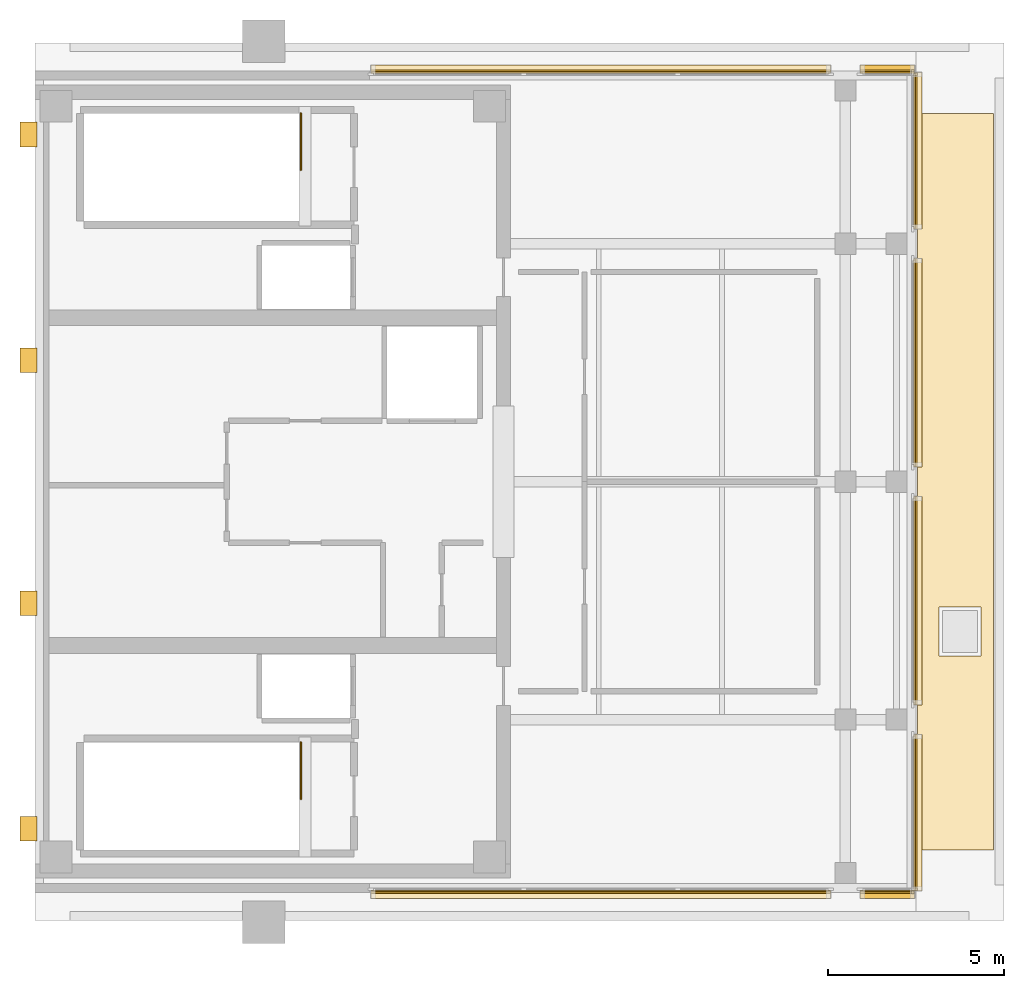
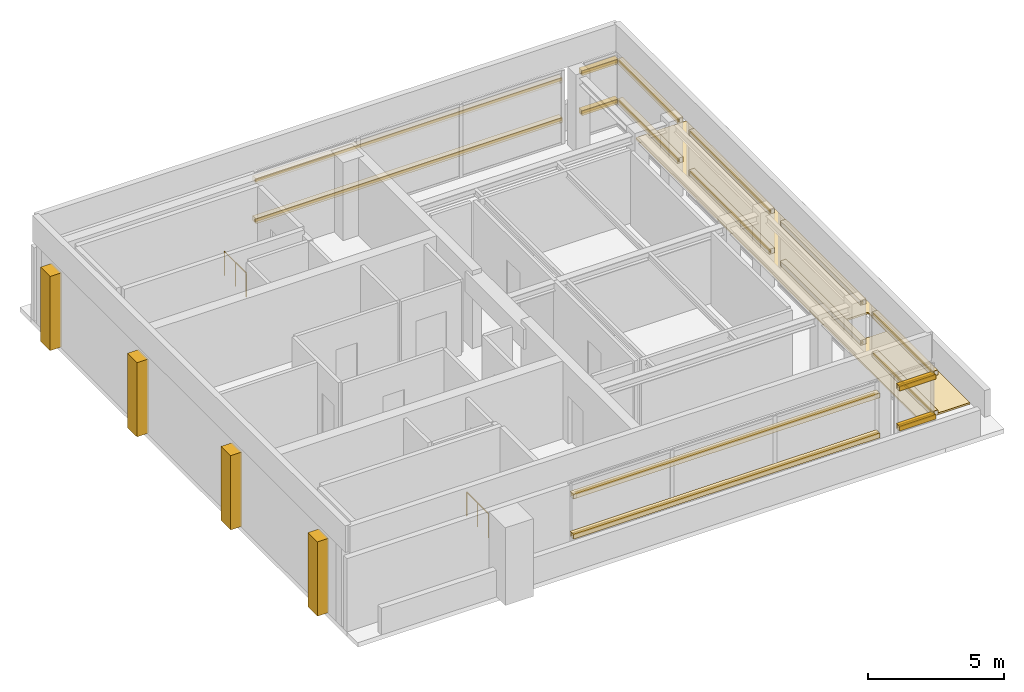
# One storey, part 5 of 5: 21 coverings, 16 shading devices, 2 railings.
"""IFC4 building model written with IfcOpenShell, lengths in metres."""

from ifc_helpers import new_model, si_unit, direction, frame, origin, origin_2d, place, context, subcontext, project, spatial, polyline, rectangle, circle, outline, extrude, material, layer, layer_set, material_profile, profile_set, type_object, element, save


model = new_model("IFC4")

# Units and contexts
model_context = context("Model", 3, precision=1e-05, world=origin(), true_north=direction((0.0, 1.0)))
body_context = subcontext(model_context, "Body", "Model", "MODEL_VIEW")
ifc_project = project(units=[si_unit("LENGTHUNIT", "METRE"), si_unit("AREAUNIT", "SQUARE_METRE"), si_unit("VOLUMEUNIT", "CUBIC_METRE"), si_unit("PLANEANGLEUNIT", "RADIAN"), si_unit("MASSUNIT", "GRAM", prefix="KILO")], contexts=[model_context])

# Site, building, storey
site_placement = place(None, origin())
site = spatial("IfcSite", under=ifc_project, at=site_placement, CompositionType="ELEMENT")
building_placement = place(site_placement, origin())
building = spatial("IfcBuilding", under=site, at=building_placement, Name="Kinhvarn Gate Tower", CompositionType="ELEMENT")
storey_placement = place(building_placement, frame((0.0, 0.0, 321.550048828125)))
storey = spatial("IfcBuildingStorey", under=building, at=storey_placement, Name="L85", CompositionType="ELEMENT", Elevation=321.550048828125)

# Coverings
ifc_material_1 = material(Name="Fired architectural terracotta", Category="masonry")
ifc_layer_1 = layer(ifc_material_1, 0.239990234375)
ifc_layer_set_1 = layer_set([ifc_layer_1], Name="Fired architectural terracotta")
covering_type_1 = type_object("IfcCoveringType", Name="COV-BAG-220", PredefinedType="CLADDING", material=ifc_layer_set_1)
for number, where, name in (
    (1, (0.0, 0.0, 0.93994140625), "Terracotta Horizontal Sunscreen Band TBG-220 (L85)"),
    (2, (0.0, 0.0, 2.739990234375), "Terracotta Horizontal Sunscreen Band TBG-220 (L85)"),
):
    element("IfcCovering", number, at=place(storey_placement, frame(where)), inside=storey, type_object=covering_type_1, Name=name, PredefinedType="CLADDING", context=body_context, shape_type="SweptSolid", body=[
        extrude(outline(polyline([(14.0400390625, 13.669921875), (27.080078125, 13.669921875), (27.080078125, 13.429931640625), (14.0400390625, 13.429931640625), (14.0400390625, 13.669921875)])), origin(), (0.0, 0.0, 1.0), 0.219970703125),
    ])
for number, where, name in (
    (3, (0.0, 0.0, 0.93994140625), "Terracotta Horizontal Sunscreen Band TBG-220 (L85)"),
    (4, (0.0, 0.0, 2.739990234375), "Terracotta Horizontal Sunscreen Band TBG-220 (L85)"),
):
    element("IfcCovering", number, at=place(storey_placement, frame(where)), inside=storey, type_object=covering_type_1, Name=name, PredefinedType="CLADDING", context=body_context, shape_type="SweptSolid", body=[
        extrude(outline(polyline([(27.919921875, 13.669921875), (29.4599609375, 13.669921875), (29.4599609375, 13.429931640625), (27.919921875, 13.429931640625), (27.919921875, 13.669921875)])), origin(), (0.0, 0.0, 1.0), 0.219970703125),
    ])
for number, where, name in (
    (5, (0.0, 0.0, 0.93994140625), "Terracotta Horizontal Sunscreen Band TBG-220 (L85)"),
    (6, (0.0, 0.0, 2.739990234375), "Terracotta Horizontal Sunscreen Band TBG-220 (L85)"),
):
    element("IfcCovering", number, at=place(storey_placement, frame(where)), inside=storey, type_object=covering_type_1, Name=name, PredefinedType="CLADDING", context=body_context, shape_type="SweptSolid", body=[
        extrude(outline(polyline([(29.4599609375, 36.830078125), (27.919921875, 36.830078125), (27.919921875, 37.070068359375), (29.4599609375, 37.070068359375), (29.4599609375, 36.830078125)])), origin(), (0.0, 0.0, 1.0), 0.219970703125),
    ])
for number, where, name in (
    (7, (0.0, 0.0, 0.93994140625), "Terracotta Horizontal Sunscreen Band TBG-220 (L85)"),
    (8, (0.0, 0.0, 2.739990234375), "Terracotta Horizontal Sunscreen Band TBG-220 (L85)"),
):
    element("IfcCovering", number, at=place(storey_placement, frame(where)), inside=storey, type_object=covering_type_1, Name=name, PredefinedType="CLADDING", context=body_context, shape_type="SweptSolid", body=[
        extrude(outline(polyline([(27.080078125, 36.830078125), (14.0400390625, 36.830078125), (14.0400390625, 37.070068359375), (27.080078125, 37.070068359375), (27.080078125, 36.830078125)])), origin(), (0.0, 0.0, 1.0), 0.219970703125),
    ])
for number, where, name in (
    (9, (0.0, 0.0, 0.93994140625), "Terracotta Horizontal Sunscreen Band TBG-220 (L85)"),
    (10, (0.0, 0.0, 2.739990234375), "Terracotta Horizontal Sunscreen Band TBG-220 (L85)"),
):
    element("IfcCovering", number, at=place(storey_placement, frame(where)), inside=storey, type_object=covering_type_1, Name=name, PredefinedType="CLADDING", context=body_context, shape_type="SweptSolid", body=[
        extrude(outline(polyline([(29.429931640625, 13.639892578125), (29.429931640625, 18.080078125), (29.669921875, 18.080078125), (29.669921875, 13.639892578125), (29.429931640625, 13.639892578125)])), origin(), (0.0, 0.0, 1.0), 0.219970703125),
    ])
for number, where, name in (
    (11, (0.0, 0.0, 0.93994140625), "Terracotta Horizontal Sunscreen Band TBG-220 (L85)"),
    (12, (0.0, 0.0, 2.739990234375), "Terracotta Horizontal Sunscreen Band TBG-220 (L85)"),
):
    element("IfcCovering", number, at=place(storey_placement, frame(where)), inside=storey, type_object=covering_type_1, Name=name, PredefinedType="CLADDING", context=body_context, shape_type="SweptSolid", body=[
        extrude(outline(polyline([(29.429931640625, 18.919921875), (29.429931640625, 24.830078125), (29.669921875, 24.830078125), (29.669921875, 18.919921875), (29.429931640625, 18.919921875)])), origin(), (0.0, 0.0, 1.0), 0.219970703125),
    ])
for number, where, name in (
    (13, (0.0, 0.0, 0.93994140625), "Terracotta Horizontal Sunscreen Band TBG-220 (L85)"),
    (14, (0.0, 0.0, 2.739990234375), "Terracotta Horizontal Sunscreen Band TBG-220 (L85)"),
):
    element("IfcCovering", number, at=place(storey_placement, frame(where)), inside=storey, type_object=covering_type_1, Name=name, PredefinedType="CLADDING", context=body_context, shape_type="SweptSolid", body=[
        extrude(outline(polyline([(29.429931640625, 25.669921875), (29.429931640625, 31.580078125), (29.669921875, 31.580078125), (29.669921875, 25.669921875), (29.429931640625, 25.669921875)])), origin(), (0.0, 0.0, 1.0), 0.219970703125),
    ])
for number, where, name in (
    (15, (0.0, 0.0, 0.93994140625), "Terracotta Horizontal Sunscreen Band TBG-220 (L85)"),
    (16, (0.0, 0.0, 2.739990234375), "Terracotta Horizontal Sunscreen Band TBG-220 (L85)"),
):
    element("IfcCovering", number, at=place(storey_placement, frame(where)), inside=storey, type_object=covering_type_1, Name=name, PredefinedType="CLADDING", context=body_context, shape_type="SweptSolid", body=[
        extrude(outline(polyline([(29.429931640625, 32.419921875), (29.429931640625, 36.860107421875), (29.669921875, 36.860107421875), (29.669921875, 32.419921875), (29.429931640625, 32.419921875)])), origin(), (0.0, 0.0, 1.0), 0.219970703125),
    ])
ifc_material_2 = material(Name="Precast white architectural concrete C40/50", Category="concrete")
ifc_layer_2 = layer(ifc_material_2, 0.47998046875)
ifc_layer_set_2 = layer_set([ifc_layer_2], Name="Precast white architectural concrete C40/50")
covering_type_2 = type_object("IfcCoveringType", Name="COV-RIB-450", PredefinedType="CLADDING", material=ifc_layer_set_2)
covering_1_placement = place(storey_placement, frame((0.0, 0.0, -0.02001953125)))
element("IfcCovering", 17, at=covering_1_placement, inside=storey, type_object=covering_type_2, Name="West Core Sculptural Concrete Relief Rib CRB-450 (L85)", PredefinedType="CLADDING", context=body_context, shape_type="SweptSolid", body=[
    extrude(outline(polyline([(4.080078125, 15.050048828125), (4.56005859375, 15.050048828125), (4.56005859375, 15.75), (4.080078125, 15.75), (4.080078125, 15.050048828125)])), origin(), (0.0, 0.0, 1.0), 3.340087890625),
])
covering_2_placement = place(storey_placement, frame((0.0, 0.0, -0.02001953125)))
element("IfcCovering", 18, at=covering_2_placement, inside=storey, type_object=covering_type_2, Name="West Core Sculptural Concrete Relief Rib CRB-450 (L85)", PredefinedType="CLADDING", context=body_context, shape_type="SweptSolid", body=[
    extrude(outline(polyline([(4.080078125, 21.449951171875), (4.56005859375, 21.449951171875), (4.56005859375, 22.14990234375), (4.080078125, 22.14990234375), (4.080078125, 21.449951171875)])), origin(), (0.0, 0.0, 1.0), 3.340087890625),
])
covering_3_placement = place(storey_placement, frame((0.0, 0.0, -0.02001953125)))
element("IfcCovering", 19, at=covering_3_placement, inside=storey, type_object=covering_type_2, Name="West Core Sculptural Concrete Relief Rib CRB-450 (L85)", PredefinedType="CLADDING", context=body_context, shape_type="SweptSolid", body=[
    extrude(outline(polyline([(4.080078125, 28.35009765625), (4.56005859375, 28.35009765625), (4.56005859375, 29.050048828125), (4.080078125, 29.050048828125), (4.080078125, 28.35009765625)])), origin(), (0.0, 0.0, 1.0), 3.340087890625),
])
covering_4_placement = place(storey_placement, frame((0.0, 0.0, -0.02001953125)))
element("IfcCovering", 20, at=covering_4_placement, inside=storey, type_object=covering_type_2, Name="West Core Sculptural Concrete Relief Rib CRB-450 (L85)", PredefinedType="CLADDING", context=body_context, shape_type="SweptSolid", body=[
    extrude(outline(polyline([(4.080078125, 34.75), (4.56005859375, 34.75), (4.56005859375, 35.449951171875), (4.080078125, 35.449951171875), (4.080078125, 34.75)])), origin(), (0.0, 0.0, 1.0), 3.340087890625),
])
ifc_material_3 = material(Name="Insulated EPDM waterproof roof build-up")
ifc_layer_3 = layer(ifc_material_3, 0.080078125)
ifc_layer_set_3 = layer_set([ifc_layer_3], Name="Insulated EPDM waterproof roof build-up")
covering_type_3 = type_object("IfcCoveringType", Name="COV-ROOF-80", PredefinedType="ROOFING", material=ifc_layer_set_3)
covering_5_placement = place(storey_placement, origin())
element("IfcCovering", 21, at=covering_5_placement, inside=storey, type_object=covering_type_3, Name="Crown Waterproof EPDM Roof Covering (L85)", PredefinedType="ROOFING", context=body_context, shape_type="SweptSolid", body=[
    extrude(outline(polyline([(29.550048828125, 14.800048828125), (29.550048828125, 35.699951171875), (31.699951171875, 35.699951171875), (31.699951171875, 14.800048828125), (29.550048828125, 14.800048828125)]), holes=[polyline([(31.35009765625, 21.699951171875), (30.14990234375, 21.699951171875), (30.14990234375, 20.300048828125), (31.35009765625, 20.300048828125), (31.35009765625, 21.699951171875)])]), origin(), (0.0, 0.0, 1.0), 0.079833984375),
])

# Railings
ifc_material_4 = material(Name="Steel S355", Category="steel")
railing_type = type_object("IfcRailingType", Name="RL-ST-GRD", PredefinedType="BALUSTRADE", material=ifc_material_4)
railing_1_placement = place(storey_placement, frame((12.050048828125, 17.85009765625, 0.0)))
element("IfcRailing", 22, at=railing_1_placement, inside=storey, type_object=railing_type, Name="L85 ST1 top well guard 1", PredefinedType="BALUSTRADE", context=body_context, shape_type="SweptSolid", body=[
    extrude(circle(Radius=0.02392578125, at=origin_2d()), frame((0.0, 0.0, 1.076171875), z_axis=(0.0, -1.0, 0.0), x_axis=(1.0, 0.0, 0.0)), (0.0, 0.0, 1.0), 1.60009765625),
    extrude(circle(Radius=0.02099609375, at=origin_2d()), origin(), (0.0, 0.0, 1.0), 1.052001953125),
    extrude(circle(Radius=0.02099609375, at=origin_2d()), frame((0.0, -0.800048828125, 0.0)), (0.0, 0.0, 1.0), 1.052001953125),
    extrude(circle(Radius=0.02099609375, at=origin_2d()), frame((0.0, -1.60009765625, 0.0)), (0.0, 0.0, 1.0), 1.052001953125),
])
railing_2_placement = place(storey_placement, frame((12.050048828125, 35.699951171875, 0.0)))
element("IfcRailing", 23, at=railing_2_placement, inside=storey, type_object=railing_type, Name="L85 ST2 top well guard 1", PredefinedType="BALUSTRADE", context=body_context, shape_type="SweptSolid", body=[
    extrude(circle(Radius=0.02392578125, at=origin_2d()), frame((0.0, 0.0, 1.076171875), z_axis=(0.0, -1.0, 0.0), x_axis=(1.0, 0.0, 0.0)), (0.0, 0.0, 1.0), 1.599853515625),
    extrude(circle(Radius=0.02099609375, at=origin_2d()), origin(), (0.0, 0.0, 1.0), 1.052001953125),
    extrude(circle(Radius=0.02099609375, at=origin_2d()), frame((0.0, -0.7998046875, 0.0)), (0.0, 0.0, 1.0), 1.052001953125),
    extrude(circle(Radius=0.02099609375, at=origin_2d()), frame((0.0, -1.599853515625, 0.0)), (0.0, 0.0, 1.0), 1.052001953125),
])

# Shading devices
ifc_material_profile = material_profile(ifc_material_1, rectangle(XDim=0.050048828125, YDim=0.1201171875, at=origin_2d()), Name="TC 50x120")
ifc_profile_set = profile_set([ifc_material_profile], Name="Fired architectural terracotta")
shading_device_type = type_object("IfcShadingDeviceType", Name="SHD-BAG-140", PredefinedType="USERDEFINED", material=ifc_profile_set)
for number, where, z_axis, x_axis, name in (
    (24, (14.0400390625, 13.60009765625, 1.050048828125), (1.0, 0.0, 0.0), (0.0, 1.0, 0.0), "Upper Tower Terracotta Baguette Screen Rod 50x120 mm (L85)"),
    (25, (14.0400390625, 13.60009765625, 2.849853515625), (1.0, 0.0, 0.0), (0.0, 1.0, 0.0), "Upper Tower Terracotta Baguette Screen Rod 50x120 mm (L85)"),
):
    element("IfcShadingDevice", number, at=place(storey_placement, frame(where, z_axis=z_axis, x_axis=x_axis)), inside=storey, type_object=shading_device_type, Name=name, ObjectType="BAGUETTE", PredefinedType="USERDEFINED", context=body_context, shape_type="SweptSolid", body=[
        extrude(rectangle(XDim=0.050048828125, YDim=0.1201171875, at=origin_2d()), origin(), (0.0, 0.0, 1.0), 13.0400390625),
    ])
for number, where, z_axis, x_axis, name in (
    (26, (27.919921875, 13.60009765625, 1.050048828125), (1.0, 0.0, 0.0), (0.0, 1.0, 0.0), "Upper Tower Terracotta Baguette Screen Rod 50x120 mm (L85)"),
    (27, (27.919921875, 13.60009765625, 2.849853515625), (1.0, 0.0, 0.0), (0.0, 1.0, 0.0), "Upper Tower Terracotta Baguette Screen Rod 50x120 mm (L85)"),
    (28, (29.4599609375, 36.89990234375, 1.050048828125), (-1.0, 0.0, 0.0), (0.0, -1.0, 0.0), "Upper Tower Terracotta Baguette Screen Rod 50x120 mm (L85)"),
    (29, (29.4599609375, 36.89990234375, 2.849853515625), (-1.0, 0.0, 0.0), (0.0, -1.0, 0.0), "Upper Tower Terracotta Baguette Screen Rod 50x120 mm (L85)"),
):
    element("IfcShadingDevice", number, at=place(storey_placement, frame(where, z_axis=z_axis, x_axis=x_axis)), inside=storey, type_object=shading_device_type, Name=name, ObjectType="BAGUETTE", PredefinedType="USERDEFINED", context=body_context, shape_type="SweptSolid", body=[
        extrude(rectangle(XDim=0.050048828125, YDim=0.1201171875, at=origin_2d()), origin(), (0.0, 0.0, 1.0), 1.5400390625),
    ])
for number, where, z_axis, x_axis, name in (
    (30, (27.080078125, 36.89990234375, 1.050048828125), (-1.0, 0.0, 0.0), (0.0, -1.0, 0.0), "Upper Tower Terracotta Baguette Screen Rod 50x120 mm (L85)"),
    (31, (27.080078125, 36.89990234375, 2.849853515625), (-1.0, 0.0, 0.0), (0.0, -1.0, 0.0), "Upper Tower Terracotta Baguette Screen Rod 50x120 mm (L85)"),
):
    element("IfcShadingDevice", number, at=place(storey_placement, frame(where, z_axis=z_axis, x_axis=x_axis)), inside=storey, type_object=shading_device_type, Name=name, ObjectType="BAGUETTE", PredefinedType="USERDEFINED", context=body_context, shape_type="SweptSolid", body=[
        extrude(rectangle(XDim=0.050048828125, YDim=0.1201171875, at=origin_2d()), origin(), (0.0, 0.0, 1.0), 13.0400390625),
    ])
for number, where, z_axis, x_axis, name in (
    (32, (29.5, 13.639892578125, 1.050048828125), (0.0, 1.0, 0.0), (-1.0, 0.0, 0.0), "Upper Tower Terracotta Baguette Screen Rod 50x120 mm (L85)"),
    (33, (29.5, 13.639892578125, 2.849853515625), (0.0, 1.0, 0.0), (-1.0, 0.0, 0.0), "Upper Tower Terracotta Baguette Screen Rod 50x120 mm (L85)"),
):
    element("IfcShadingDevice", number, at=place(storey_placement, frame(where, z_axis=z_axis, x_axis=x_axis)), inside=storey, type_object=shading_device_type, Name=name, ObjectType="BAGUETTE", PredefinedType="USERDEFINED", context=body_context, shape_type="SweptSolid", body=[
        extrude(rectangle(XDim=0.050048828125, YDim=0.1201171875, at=origin_2d()), origin(), (0.0, 0.0, 1.0), 4.440185546875),
    ])
for number, where, z_axis, x_axis, name in (
    (34, (29.5, 18.919921875, 1.050048828125), (0.0, 1.0, 0.0), (-1.0, 0.0, 0.0), "Upper Tower Terracotta Baguette Screen Rod 50x120 mm (L85)"),
    (35, (29.5, 18.919921875, 2.849853515625), (0.0, 1.0, 0.0), (-1.0, 0.0, 0.0), "Upper Tower Terracotta Baguette Screen Rod 50x120 mm (L85)"),
    (36, (29.5, 25.669921875, 1.050048828125), (0.0, 1.0, 0.0), (-1.0, 0.0, 0.0), "Upper Tower Terracotta Baguette Screen Rod 50x120 mm (L85)"),
    (37, (29.5, 25.669921875, 2.849853515625), (0.0, 1.0, 0.0), (-1.0, 0.0, 0.0), "Upper Tower Terracotta Baguette Screen Rod 50x120 mm (L85)"),
):
    element("IfcShadingDevice", number, at=place(storey_placement, frame(where, z_axis=z_axis, x_axis=x_axis)), inside=storey, type_object=shading_device_type, Name=name, ObjectType="BAGUETTE", PredefinedType="USERDEFINED", context=body_context, shape_type="SweptSolid", body=[
        extrude(rectangle(XDim=0.050048828125, YDim=0.1201171875, at=origin_2d()), origin(), (0.0, 0.0, 1.0), 5.91015625),
    ])
for number, where, z_axis, x_axis, name in (
    (38, (29.5, 32.419921875, 1.050048828125), (0.0, 1.0, 0.0), (-1.0, 0.0, 0.0), "Upper Tower Terracotta Baguette Screen Rod 50x120 mm (L85)"),
    (39, (29.5, 32.419921875, 2.849853515625), (0.0, 1.0, 0.0), (-1.0, 0.0, 0.0), "Upper Tower Terracotta Baguette Screen Rod 50x120 mm (L85)"),
):
    element("IfcShadingDevice", number, at=place(storey_placement, frame(where, z_axis=z_axis, x_axis=x_axis)), inside=storey, type_object=shading_device_type, Name=name, ObjectType="BAGUETTE", PredefinedType="USERDEFINED", context=body_context, shape_type="SweptSolid", body=[
        extrude(rectangle(XDim=0.050048828125, YDim=0.1201171875, at=origin_2d()), origin(), (0.0, 0.0, 1.0), 4.440185546875),
    ])

save(model, "model.ifc")
